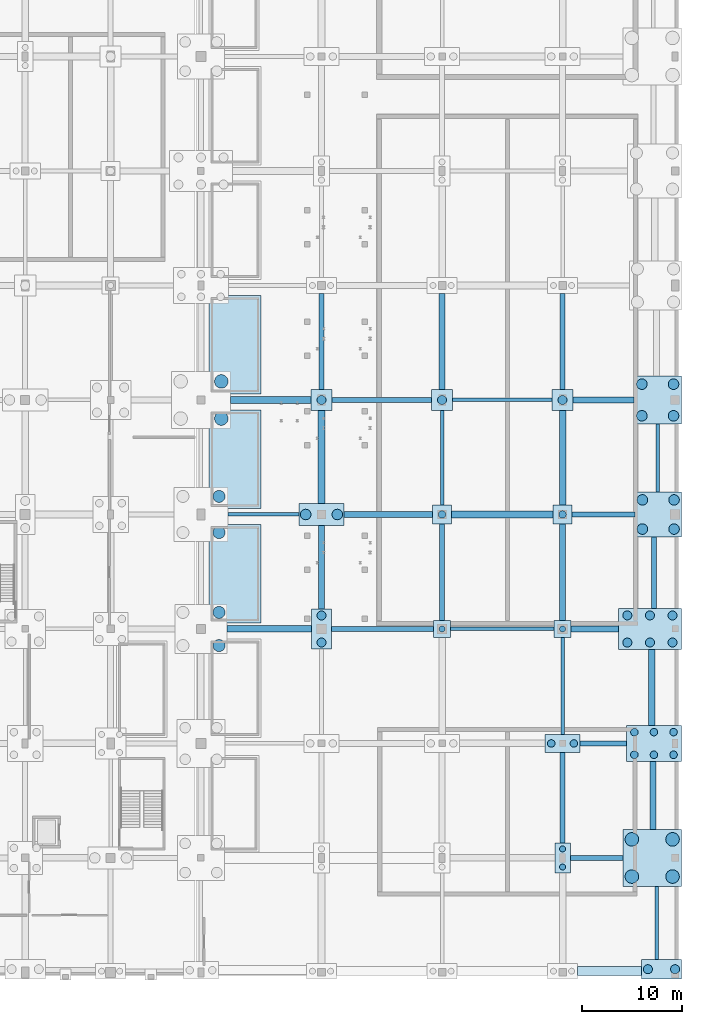
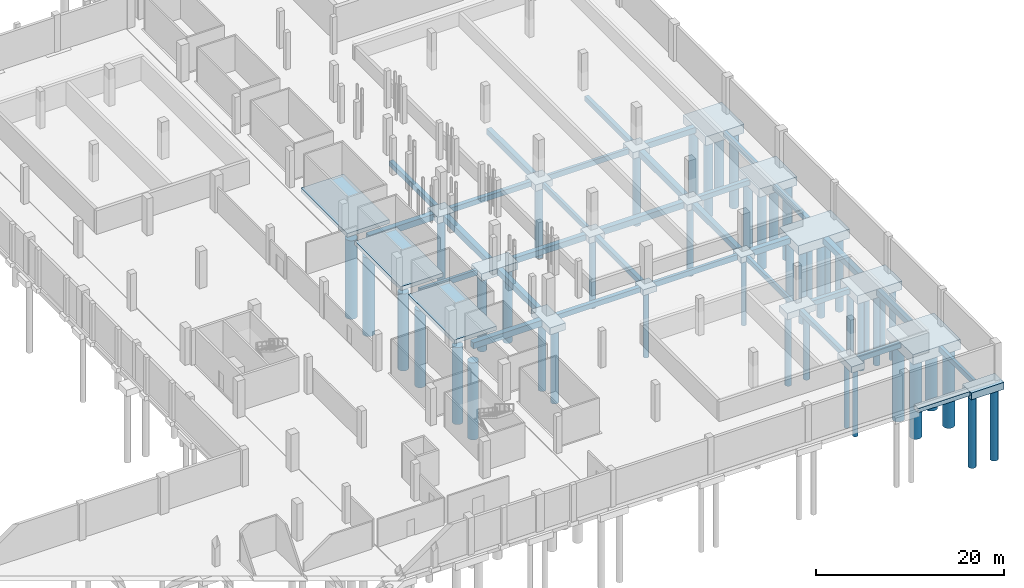
# One storey, part 8 of 34: 51 footings, 47 piles.
"""IFC4 building model written with IfcOpenShell, lengths in metres."""

from ifc_helpers import new_model, si_unit, direction, frame, origin, origin_2d, place, context, subcontext, project, spatial, rectangle, circle, extrude, material, material_profile, profile_set, type_object, element, save


model = new_model("IFC4")

# Units and contexts
model_context = context("Model", 3, precision=1e-05, world=origin(), true_north=direction((0.0, 1.0)))
body_context = subcontext(model_context, "Body", "Model", "MODEL_VIEW")
ifc_project = project(units=[si_unit("LENGTHUNIT", "METRE"), si_unit("AREAUNIT", "SQUARE_METRE"), si_unit("VOLUMEUNIT", "CUBIC_METRE"), si_unit("PLANEANGLEUNIT", "RADIAN"), si_unit("MASSUNIT", "GRAM", prefix="KILO"), si_unit("POWERUNIT", "WATT"), si_unit("THERMODYNAMICTEMPERATUREUNIT", "KELVIN")], contexts=[model_context])

# Site, building, storey
site_placement = place(None, origin())
site = spatial("IfcSite", under=ifc_project, at=site_placement, CompositionType="ELEMENT")
building_placement = place(site_placement, origin())
building = spatial("IfcBuilding", under=site, at=building_placement, Name="Kelmbourne Parkland Aquatics Centre", CompositionType="ELEMENT")
storey_placement = place(building_placement, frame((0.0, 0.0, -4.800048828125)))
storey = spatial("IfcBuildingStorey", under=building, at=storey_placement, Name="B1", CompositionType="ELEMENT", Elevation=-4.800048828125)

# Footings
ifc_material = material(Name="Waterproof concrete C50/60", Category="concrete")
footing_type_1 = type_object("IfcFootingType", Name="FT-FB1", PredefinedType="FOOTING_BEAM", material=ifc_material)
footing_1_placement = place(storey_placement, frame((167.387451171875, 12.199951171875, -1.099853515625), z_axis=(0.0, 0.0, 1.0), x_axis=(1.0, 0.0, 0.0)))
element("IfcFooting", 1, at=footing_1_placement, inside=storey, type_object=footing_type_1, Name="Ground tie beam S-T on Grid 03", PredefinedType="FOOTING_BEAM", context=body_context, shape_type="SweptSolid", body=[
    extrude(rectangle(XDim=5.22509765625, YDim=0.5, at=origin_2d()), origin(), (0.0, 0.0, 1.0), 0.64990234375),
])
footing_2_placement = place(storey_placement, frame((168.03759765625, 23.60009765625, -1.099853515625), z_axis=(0.0, 0.0, 1.0), x_axis=(1.0, 0.0, 0.0)))
element("IfcFooting", 2, at=footing_2_placement, inside=storey, type_object=footing_type_1, Name="Ground tie beam S-T on Grid 04", PredefinedType="FOOTING_BEAM", context=body_context, shape_type="SweptSolid", body=[
    extrude(rectangle(XDim=4.625, YDim=0.5, at=origin_2d()), origin(), (0.0, 0.0, 1.0), 0.64990234375),
])
footing_3_placement = place(storey_placement, frame((146.0625, 35.0, -1.099853515625), z_axis=(0.0, 0.0, 1.0), x_axis=(1.0, 0.0, 0.0)))
element("IfcFooting", 3, at=footing_3_placement, inside=storey, type_object=footing_type_1, Name="Ground tie beam Q-R on Grid 05", PredefinedType="FOOTING_BEAM", context=body_context, shape_type="SweptSolid", body=[
    extrude(rectangle(XDim=10.175048828125, YDim=0.5, at=origin_2d()), origin(), (0.0, 0.0, 1.0), 0.64990234375),
])
footing_4_placement = place(storey_placement, frame((168.074951171875, 46.39990234375, -1.099853515625), z_axis=(0.0, 0.0, 1.0), x_axis=(1.0, 0.0, 0.0)))
element("IfcFooting", 4, at=footing_4_placement, inside=storey, type_object=footing_type_1, Name="Ground tie beam S-T on Grid 06", PredefinedType="FOOTING_BEAM", context=body_context, shape_type="SweptSolid", body=[
    extrude(rectangle(XDim=6.25, YDim=0.5, at=origin_2d()), origin(), (0.0, 0.0, 1.0), 0.64990234375),
])
footing_5_placement = place(storey_placement, frame((146.0, 57.800048828125, -1.099853515625), z_axis=(0.0, 0.0, 1.0), x_axis=(1.0, 0.0, 0.0)))
element("IfcFooting", 5, at=footing_5_placement, inside=storey, type_object=footing_type_1, Name="Ground tie beam Q-R on Grid 08", PredefinedType="FOOTING_BEAM", context=body_context, shape_type="SweptSolid", body=[
    extrude(rectangle(XDim=9.89990234375, YDim=0.5, at=origin_2d()), origin(), (0.0, 0.0, 1.0), 0.64990234375),
])
footing_6_placement = place(storey_placement, frame((140.0, 63.637451171875, -1.099853515625), z_axis=(0.0, 0.0, 1.0), x_axis=(0.0, 1.0, 0.0)))
element("IfcFooting", 6, at=footing_6_placement, inside=storey, type_object=footing_type_1, Name="Ground tie beam 08-10 on Grid Q", PredefinedType="FOOTING_BEAM", context=body_context, shape_type="SweptSolid", body=[
    extrude(rectangle(XDim=9.574951171875, YDim=0.5, at=origin_2d()), origin(), (0.0, 0.0, 1.0), 0.64990234375),
])
footing_7_placement = place(storey_placement, frame((152.0, 40.64990234375, -1.099853515625), z_axis=(0.0, 0.0, 1.0), x_axis=(0.0, 1.0, 0.0)))
element("IfcFooting", 7, at=footing_7_placement, inside=storey, type_object=footing_type_1, Name="Ground tie beam 05-06 on Grid R", PredefinedType="FOOTING_BEAM", context=body_context, shape_type="SweptSolid", body=[
    extrude(rectangle(XDim=9.60009765625, YDim=0.5, at=origin_2d()), origin(), (0.0, 0.0, 1.0), 0.64990234375),
])
footing_8_placement = place(storey_placement, frame((164.0, 18.21240234375, -1.099853515625), z_axis=(0.0, 0.0, 1.0), x_axis=(0.0, 1.0, 0.0)))
element("IfcFooting", 8, at=footing_8_placement, inside=storey, type_object=footing_type_1, Name="Ground tie beam 03-04 on Grid S", PredefinedType="FOOTING_BEAM", context=body_context, shape_type="SweptSolid", body=[
    extrude(rectangle(XDim=9.02490234375, YDim=0.5, at=origin_2d()), origin(), (0.0, 0.0, 1.0), 0.64990234375),
])
footing_9_placement = place(storey_placement, frame((164.0, 63.637451171875, -1.099853515625), z_axis=(0.0, 0.0, 1.0), x_axis=(0.0, 1.0, 0.0)))
element("IfcFooting", 9, at=footing_9_placement, inside=storey, type_object=footing_type_1, Name="Ground tie beam 08-10 on Grid S", PredefinedType="FOOTING_BEAM", context=body_context, shape_type="SweptSolid", body=[
    extrude(rectangle(XDim=9.574951171875, YDim=0.5, at=origin_2d()), origin(), (0.0, 0.0, 1.0), 0.64990234375),
])
footing_10_placement = place(storey_placement, frame((173.112548828125, 40.60009765625, -1.099853515625), z_axis=(0.0, 0.0, 1.0), x_axis=(0.0, 1.0, 0.0)))
element("IfcFooting", 10, at=footing_10_placement, inside=storey, type_object=footing_type_1, Name="Ground tie beam 05-06 on Grid T", PredefinedType="FOOTING_BEAM", context=body_context, shape_type="SweptSolid", body=[
    extrude(rectangle(XDim=7.14990234375, YDim=0.5, at=origin_2d()), origin(), (0.0, 0.0, 1.0), 0.64990234375),
])
footing_type_2 = type_object("IfcFootingType", Name="FT-FB2", PredefinedType="FOOTING_BEAM", material=ifc_material)
footing_11_placement = place(storey_placement, frame((158.0, 35.0, -1.14990234375), z_axis=(0.0, 0.0, 1.0), x_axis=(1.0, 0.0, 0.0)))
element("IfcFooting", 11, at=footing_11_placement, inside=storey, type_object=footing_type_2, Name="Ground tie beam R-S on Grid 05", PredefinedType="FOOTING_BEAM", context=body_context, shape_type="SweptSolid", body=[
    extrude(rectangle(XDim=10.300048828125, YDim=0.35009765625, at=origin_2d()), origin(), (0.0, 0.0, 1.0), 0.699951171875),
])
footing_12_placement = place(storey_placement, frame((134.22509765625, 46.39990234375, -1.14990234375), z_axis=(0.0, 0.0, 1.0), x_axis=(1.0, 0.0, 0.0)))
element("IfcFooting", 12, at=footing_12_placement, inside=storey, type_object=footing_type_2, Name="Ground tie beam P-Q on Grid 06", PredefinedType="FOOTING_BEAM", context=body_context, shape_type="SweptSolid", body=[
    extrude(rectangle(XDim=7.050048828125, YDim=0.35009765625, at=origin_2d()), origin(), (0.0, 0.0, 1.0), 0.699951171875),
])
footing_13_placement = place(storey_placement, frame((158.0, 57.800048828125, -1.14990234375), z_axis=(0.0, 0.0, 1.0), x_axis=(1.0, 0.0, 0.0)))
element("IfcFooting", 13, at=footing_13_placement, inside=storey, type_object=footing_type_2, Name="Ground tie beam R-S on Grid 08", PredefinedType="FOOTING_BEAM", context=body_context, shape_type="SweptSolid", body=[
    extrude(rectangle(XDim=9.89990234375, YDim=0.35009765625, at=origin_2d()), origin(), (0.0, 0.0, 1.0), 0.699951171875),
])
footing_14_placement = place(storey_placement, frame((152.0, 52.050048828125, -1.14990234375), z_axis=(0.0, 0.0, 1.0), x_axis=(0.0, 1.0, 0.0)))
element("IfcFooting", 14, at=footing_14_placement, inside=storey, type_object=footing_type_2, Name="Ground tie beam 06-08 on Grid R", PredefinedType="FOOTING_BEAM", context=body_context, shape_type="SweptSolid", body=[
    extrude(rectangle(XDim=9.39990234375, YDim=0.35009765625, at=origin_2d()), origin(), (0.0, 0.0, 1.0), 0.699951171875),
])
footing_15_placement = place(storey_placement, frame((164.0, 29.3125, -1.14990234375), z_axis=(0.0, 0.0, 1.0), x_axis=(0.0, 1.0, 0.0)))
element("IfcFooting", 15, at=footing_15_placement, inside=storey, type_object=footing_type_2, Name="Ground tie beam 04-05 on Grid S", PredefinedType="FOOTING_BEAM", context=body_context, shape_type="SweptSolid", body=[
    extrude(rectangle(XDim=9.675048828125, YDim=0.35009765625, at=origin_2d()), origin(), (0.0, 0.0, 1.0), 0.699951171875),
])
footing_16_placement = place(storey_placement, frame((173.387451171875, 5.737548828125, -1.14990234375), z_axis=(0.0, 0.0, 1.0), x_axis=(0.0, 1.0, 0.0)))
element("IfcFooting", 16, at=footing_16_placement, inside=storey, type_object=footing_type_2, Name="Ground tie beam 01-03 on Grid T", PredefinedType="FOOTING_BEAM", context=body_context, shape_type="SweptSolid", body=[
    extrude(rectangle(XDim=7.27490234375, YDim=0.35009765625, at=origin_2d()), origin(), (0.0, 0.0, 1.0), 0.699951171875),
])
footing_17_placement = place(storey_placement, frame((173.5, 52.02490234375, -1.14990234375), z_axis=(0.0, 0.0, 1.0), x_axis=(0.0, 1.0, 0.0)))
element("IfcFooting", 17, at=footing_17_placement, inside=storey, type_object=footing_type_2, Name="Ground tie beam 06-08 on Grid T", PredefinedType="FOOTING_BEAM", context=body_context, shape_type="SweptSolid", body=[
    extrude(rectangle(XDim=6.800048828125, YDim=0.35009765625, at=origin_2d()), origin(), (0.0, 0.0, 1.0), 0.699951171875),
])
footing_type_3 = type_object("IfcFootingType", Name="FT-FB3", PredefinedType="FOOTING_BEAM", material=ifc_material)
footing_18_placement = place(storey_placement, frame((167.199951171875, 35.0, -1.199951171875), z_axis=(0.0, 0.0, 1.0), x_axis=(1.0, 0.0, 0.0)))
element("IfcFooting", 18, at=footing_18_placement, inside=storey, type_object=footing_type_3, Name="Ground tie beam S-T on Grid 05", PredefinedType="FOOTING_BEAM", context=body_context, shape_type="SweptSolid", body=[
    extrude(rectangle(XDim=4.699951171875, YDim=0.60009765625, at=origin_2d()), origin(), (0.0, 0.0, 1.0), 0.75),
])
footing_19_placement = place(storey_placement, frame((146.64990234375, 46.39990234375, -1.199951171875), z_axis=(0.0, 0.0, 1.0), x_axis=(1.0, 0.0, 0.0)))
element("IfcFooting", 19, at=footing_19_placement, inside=storey, type_object=footing_type_3, Name="Ground tie beam Q-R on Grid 06", PredefinedType="FOOTING_BEAM", context=body_context, shape_type="SweptSolid", body=[
    extrude(rectangle(XDim=8.800048828125, YDim=0.60009765625, at=origin_2d()), origin(), (0.0, 0.0, 1.0), 0.75),
])
footing_20_placement = place(storey_placement, frame((168.074951171875, 57.800048828125, -1.199951171875), z_axis=(0.0, 0.0, 1.0), x_axis=(1.0, 0.0, 0.0)))
element("IfcFooting", 20, at=footing_20_placement, inside=storey, type_object=footing_type_3, Name="Ground tie beam S-T on Grid 08", PredefinedType="FOOTING_BEAM", context=body_context, shape_type="SweptSolid", body=[
    extrude(rectangle(XDim=6.050048828125, YDim=0.60009765625, at=origin_2d()), origin(), (0.0, 0.0, 1.0), 0.75),
])
footing_21_placement = place(storey_placement, frame((140.0, 41.16259765625, -1.199951171875), z_axis=(0.0, 0.0, 1.0), x_axis=(0.0, 1.0, 0.0)))
element("IfcFooting", 21, at=footing_21_placement, inside=storey, type_object=footing_type_3, Name="Ground tie beam 05-06 on Grid Q", PredefinedType="FOOTING_BEAM", context=body_context, shape_type="SweptSolid", body=[
    extrude(rectangle(XDim=8.324951171875, YDim=0.60009765625, at=origin_2d()), origin(), (0.0, 0.0, 1.0), 0.75),
])
footing_22_placement = place(storey_placement, frame((152.0, 63.637451171875, -1.199951171875), z_axis=(0.0, 0.0, 1.0), x_axis=(0.0, 1.0, 0.0)))
element("IfcFooting", 22, at=footing_22_placement, inside=storey, type_object=footing_type_3, Name="Ground tie beam 08-10 on Grid R", PredefinedType="FOOTING_BEAM", context=body_context, shape_type="SweptSolid", body=[
    extrude(rectangle(XDim=9.574951171875, YDim=0.60009765625, at=origin_2d()), origin(), (0.0, 0.0, 1.0), 0.75),
])
footing_23_placement = place(storey_placement, frame((164.0, 40.64990234375, -1.199951171875), z_axis=(0.0, 0.0, 1.0), x_axis=(0.0, 1.0, 0.0)))
element("IfcFooting", 23, at=footing_23_placement, inside=storey, type_object=footing_type_3, Name="Ground tie beam 05-06 on Grid S", PredefinedType="FOOTING_BEAM", context=body_context, shape_type="SweptSolid", body=[
    extrude(rectangle(XDim=9.60009765625, YDim=0.60009765625, at=origin_2d()), origin(), (0.0, 0.0, 1.0), 0.75),
])
footing_24_placement = place(storey_placement, frame((173.012451171875, 18.425048828125, -1.199951171875), z_axis=(0.0, 0.0, 1.0), x_axis=(0.0, 1.0, 0.0)))
element("IfcFooting", 24, at=footing_24_placement, inside=storey, type_object=footing_type_3, Name="Ground tie beam 03-04 on Grid T", PredefinedType="FOOTING_BEAM", context=body_context, shape_type="SweptSolid", body=[
    extrude(rectangle(XDim=6.800048828125, YDim=0.60009765625, at=origin_2d()), origin(), (0.0, 0.0, 1.0), 0.75),
])
footing_type_4 = type_object("IfcFootingType", Name="FT-FB4", PredefinedType="FOOTING_BEAM", material=ifc_material)
footing_25_placement = place(storey_placement, frame((134.8125, 35.0, -1.25), z_axis=(0.0, 0.0, 1.0), x_axis=(1.0, 0.0, 0.0)))
element("IfcFooting", 25, at=footing_25_placement, inside=storey, type_object=footing_type_4, Name="Ground tie beam P-Q on Grid 05", PredefinedType="FOOTING_BEAM", context=body_context, shape_type="SweptSolid", body=[
    extrude(rectangle(XDim=8.425048828125, YDim=0.64990234375, at=origin_2d()), origin(), (0.0, 0.0, 1.0), 0.800048828125),
])
footing_26_placement = place(storey_placement, frame((158.0, 46.39990234375, -1.25), z_axis=(0.0, 0.0, 1.0), x_axis=(1.0, 0.0, 0.0)))
element("IfcFooting", 26, at=footing_26_placement, inside=storey, type_object=footing_type_4, Name="Ground tie beam R-S on Grid 06", PredefinedType="FOOTING_BEAM", context=body_context, shape_type="SweptSolid", body=[
    extrude(rectangle(XDim=10.10009765625, YDim=0.64990234375, at=origin_2d()), origin(), (0.0, 0.0, 1.0), 0.800048828125),
])
footing_27_placement = place(storey_placement, frame((134.9375, 57.800048828125, -1.25), z_axis=(0.0, 0.0, 1.0), x_axis=(1.0, 0.0, 0.0)))
element("IfcFooting", 27, at=footing_27_placement, inside=storey, type_object=footing_type_4, Name="Ground tie beam P-Q on Grid 08", PredefinedType="FOOTING_BEAM", context=body_context, shape_type="SweptSolid", body=[
    extrude(rectangle(XDim=8.02490234375, YDim=0.64990234375, at=origin_2d()), origin(), (0.0, 0.0, 1.0), 0.800048828125),
])
footing_28_placement = place(storey_placement, frame((140.0, 52.112548828125, -1.25), z_axis=(0.0, 0.0, 1.0), x_axis=(0.0, 1.0, 0.0)))
element("IfcFooting", 28, at=footing_28_placement, inside=storey, type_object=footing_type_4, Name="Ground tie beam 06-08 on Grid Q", PredefinedType="FOOTING_BEAM", context=body_context, shape_type="SweptSolid", body=[
    extrude(rectangle(XDim=9.27490234375, YDim=0.64990234375, at=origin_2d()), origin(), (0.0, 0.0, 1.0), 0.800048828125),
])
footing_29_placement = place(storey_placement, frame((164.0, 52.050048828125, -1.25), z_axis=(0.0, 0.0, 1.0), x_axis=(0.0, 1.0, 0.0)))
element("IfcFooting", 29, at=footing_29_placement, inside=storey, type_object=footing_type_4, Name="Ground tie beam 06-08 on Grid S", PredefinedType="FOOTING_BEAM", context=body_context, shape_type="SweptSolid", body=[
    extrude(rectangle(XDim=9.39990234375, YDim=0.64990234375, at=origin_2d()), origin(), (0.0, 0.0, 1.0), 0.800048828125),
])
footing_30_placement = place(storey_placement, frame((172.89990234375, 29.175048828125, -1.25), z_axis=(0.0, 0.0, 1.0), x_axis=(0.0, 1.0, 0.0)))
element("IfcFooting", 30, at=footing_30_placement, inside=storey, type_object=footing_type_4, Name="Ground tie beam 04-05 on Grid T", PredefinedType="FOOTING_BEAM", context=body_context, shape_type="SweptSolid", body=[
    extrude(rectangle(XDim=7.60009765625, YDim=0.64990234375, at=origin_2d()), origin(), (0.0, 0.0, 1.0), 0.800048828125),
])
footing_type_5 = type_object("IfcFootingType", Name="FT-PC01", PredefinedType="PILE_CAP", material=ifc_material)
for number, where, z_axis, x_axis, name in (
    (31, (152.0, 35.0, -1.199951171875), (0.0, 0.0, 1.0), (1.0, 0.0, 0.0), "Bored pile cap PC-R-05"),
    (32, (164.0, 35.0, -1.199951171875), (0.0, 0.0, 1.0), (1.0, 0.0, 0.0), "Bored pile cap PC-S-05"),
):
    element("IfcFooting", number, at=place(storey_placement, frame(where, z_axis=z_axis, x_axis=x_axis)), inside=storey, type_object=footing_type_5, Name=name, PredefinedType="PILE_CAP", context=body_context, shape_type="SweptSolid", body=[
        extrude(rectangle(XDim=1.699951171875, YDim=1.699951171875, at=origin_2d()), origin(), (0.0, 0.0, 1.0), 0.75),
    ])
footing_type_6 = type_object("IfcFootingType", Name="FT-PC02", PredefinedType="PILE_CAP", material=ifc_material)
for number, where, z_axis, x_axis, name in (
    (33, (152.0, 46.39990234375, -1.25), (0.0, 0.0, 1.0), (1.0, 0.0, 0.0), "Bored pile cap PC-R-06"),
    (34, (164.0, 46.39990234375, -1.25), (0.0, 0.0, 1.0), (1.0, 0.0, 0.0), "Bored pile cap PC-S-06"),
):
    element("IfcFooting", number, at=place(storey_placement, frame(where, z_axis=z_axis, x_axis=x_axis)), inside=storey, type_object=footing_type_6, Name=name, PredefinedType="PILE_CAP", context=body_context, shape_type="SweptSolid", body=[
        extrude(rectangle(XDim=1.89990234375, YDim=1.89990234375, at=origin_2d()), origin(), (0.0, 0.0, 1.0), 0.800048828125),
    ])
footing_type_7 = type_object("IfcFootingType", Name="FT-PC03", PredefinedType="PILE_CAP", material=ifc_material)
for number, where, z_axis, x_axis, name in (
    (35, (140.0, 57.800048828125, -1.300048828125), (0.0, 0.0, 1.0), (1.0, 0.0, 0.0), "Bored pile cap PC-Q-08"),
    (36, (152.0, 57.800048828125, -1.300048828125), (0.0, 0.0, 1.0), (1.0, 0.0, 0.0), "Bored pile cap PC-R-08"),
    (37, (164.0, 57.800048828125, -1.300048828125), (0.0, 0.0, 1.0), (1.0, 0.0, 0.0), "Bored pile cap PC-S-08"),
):
    element("IfcFooting", number, at=place(storey_placement, frame(where, z_axis=z_axis, x_axis=x_axis)), inside=storey, type_object=footing_type_7, Name=name, PredefinedType="PILE_CAP", context=body_context, shape_type="SweptSolid", body=[
        extrude(rectangle(XDim=2.10009765625, YDim=2.10009765625, at=origin_2d()), origin(), (0.0, 0.0, 1.0), 0.85009765625),
    ])
footing_type_8 = type_object("IfcFootingType", Name="FT-PC05", PredefinedType="PILE_CAP", material=ifc_material)
footing_31_placement = place(storey_placement, frame((164.0, 12.199951171875, -1.25), z_axis=(0.0, 0.0, 1.0), x_axis=(1.0, 0.0, 0.0)))
element("IfcFooting", 38, at=footing_31_placement, inside=storey, type_object=footing_type_8, Name="Bored pile cap PC-S-03", PredefinedType="PILE_CAP", context=body_context, shape_type="SweptSolid", body=[
    extrude(rectangle(XDim=1.550048828125, YDim=3.0, at=origin_2d()), origin(), (0.0, 0.0, 1.0), 0.800048828125),
])
footing_type_9 = type_object("IfcFootingType", Name="FT-PC06", PredefinedType="PILE_CAP", material=ifc_material)
footing_32_placement = place(storey_placement, frame((164.0, 23.60009765625, -1.300048828125), z_axis=(0.0, 0.0, 1.0), x_axis=(1.0, 0.0, 0.0)))
element("IfcFooting", 39, at=footing_32_placement, inside=storey, type_object=footing_type_9, Name="Bored pile cap PC-S-04", PredefinedType="PILE_CAP", context=body_context, shape_type="SweptSolid", body=[
    extrude(rectangle(XDim=3.449951171875, YDim=1.75, at=origin_2d()), origin(), (0.0, 0.0, 1.0), 0.85009765625),
])
footing_type_10 = type_object("IfcFootingType", Name="FT-PC08", PredefinedType="PILE_CAP", material=ifc_material)
footing_33_placement = place(storey_placement, frame((173.85009765625, 1.125, -1.349853515625), z_axis=(0.0, 0.0, 1.0), x_axis=(1.0, 0.0, 0.0)))
element("IfcFooting", 40, at=footing_33_placement, inside=storey, type_object=footing_type_10, Name="Bored pile cap PC-T-01", PredefinedType="PILE_CAP", context=body_context, shape_type="SweptSolid", body=[
    extrude(rectangle(XDim=4.0, YDim=1.949951171875, at=origin_2d()), origin(), (0.0, 0.0, 1.0), 0.89990234375),
])
footing_type_11 = type_object("IfcFootingType", Name="FT-PC09", PredefinedType="PILE_CAP", material=ifc_material)
footing_34_placement = place(storey_placement, frame((140.0, 35.0, -1.349853515625), z_axis=(0.0, 0.0, 1.0), x_axis=(1.0, 0.0, 0.0)))
element("IfcFooting", 41, at=footing_34_placement, inside=storey, type_object=footing_type_11, Name="Bored pile cap PC-Q-05", PredefinedType="PILE_CAP", context=body_context, shape_type="SweptSolid", body=[
    extrude(rectangle(XDim=1.949951171875, YDim=4.0, at=origin_2d()), origin(), (0.0, 0.0, 1.0), 0.89990234375),
])
footing_type_12 = type_object("IfcFootingType", Name="FT-PC10", PredefinedType="PILE_CAP", material=ifc_material)
footing_35_placement = place(storey_placement, frame((140.0, 46.39990234375, -1.39990234375), z_axis=(0.0, 0.0, 1.0), x_axis=(1.0, 0.0, 0.0)))
element("IfcFooting", 42, at=footing_35_placement, inside=storey, type_object=footing_type_12, Name="Bored pile cap PC-Q-06", PredefinedType="PILE_CAP", context=body_context, shape_type="SweptSolid", body=[
    extrude(rectangle(XDim=4.5, YDim=2.14990234375, at=origin_2d()), origin(), (0.0, 0.0, 1.0), 0.949951171875),
])
footing_type_13 = type_object("IfcFootingType", Name="FT-PC16", PredefinedType="PILE_CAP", material=ifc_material)
footing_36_placement = place(storey_placement, frame((173.52490234375, 46.39990234375, -1.550048828125), z_axis=(0.0, 0.0, 1.0), x_axis=(1.0, 0.0, 0.0)))
element("IfcFooting", 43, at=footing_36_placement, inside=storey, type_object=footing_type_13, Name="Bored pile cap PC-T-06", PredefinedType="PILE_CAP", context=body_context, shape_type="SweptSolid", body=[
    extrude(rectangle(XDim=4.64990234375, YDim=4.449951171875, at=origin_2d()), origin(), (0.0, 0.0, 1.0), 1.10009765625),
])
footing_type_14 = type_object("IfcFootingType", Name="FT-PC17", PredefinedType="PILE_CAP", material=ifc_material)
footing_37_placement = place(storey_placement, frame((173.47509765625, 57.800048828125, -1.599853515625), z_axis=(0.0, 0.0, 1.0), x_axis=(1.0, 0.0, 0.0)))
element("IfcFooting", 44, at=footing_37_placement, inside=storey, type_object=footing_type_14, Name="Bored pile cap PC-T-08", PredefinedType="PILE_CAP", context=body_context, shape_type="SweptSolid", body=[
    extrude(rectangle(XDim=4.75, YDim=4.75, at=origin_2d()), origin(), (0.0, 0.0, 1.0), 1.14990234375),
])
footing_type_15 = type_object("IfcFootingType", Name="FT-PC20", PredefinedType="PILE_CAP", material=ifc_material)
footing_38_placement = place(storey_placement, frame((172.925048828125, 12.199951171875, -1.75), z_axis=(0.0, 0.0, 1.0), x_axis=(1.0, 0.0, 0.0)))
element("IfcFooting", 45, at=footing_38_placement, inside=storey, type_object=footing_type_15, Name="Bored pile cap PC-T-03", PredefinedType="PILE_CAP", context=body_context, shape_type="SweptSolid", body=[
    extrude(rectangle(XDim=5.85009765625, YDim=5.64990234375, at=origin_2d()), origin(), (0.0, 0.0, 1.0), 1.300048828125),
])
footing_type_16 = type_object("IfcFootingType", Name="FT-PC21", PredefinedType="PILE_CAP", material=ifc_material)
footing_39_placement = place(storey_placement, frame((173.10009765625, 23.60009765625, -1.550048828125), z_axis=(0.0, 0.0, 1.0), x_axis=(1.0, 0.0, 0.0)))
element("IfcFooting", 46, at=footing_39_placement, inside=storey, type_object=footing_type_16, Name="Bored pile cap PC-T-04", PredefinedType="PILE_CAP", context=body_context, shape_type="SweptSolid", body=[
    extrude(rectangle(XDim=5.5, YDim=3.550048828125, at=origin_2d()), origin(), (0.0, 0.0, 1.0), 1.10009765625),
])
footing_type_17 = type_object("IfcFootingType", Name="FT-PC22", PredefinedType="PILE_CAP", material=ifc_material)
footing_40_placement = place(storey_placement, frame((172.699951171875, 35.0, -1.64990234375), z_axis=(0.0, 0.0, 1.0), x_axis=(1.0, 0.0, 0.0)))
element("IfcFooting", 47, at=footing_40_placement, inside=storey, type_object=footing_type_17, Name="Bored pile cap PC-T-05", PredefinedType="PILE_CAP", context=body_context, shape_type="SweptSolid", body=[
    extrude(rectangle(XDim=6.300048828125, YDim=4.050048828125, at=origin_2d()), origin(), (0.0, 0.0, 1.0), 1.199951171875),
])
footing_type_18 = type_object("IfcFootingType", Name="FT-SF1", PredefinedType="STRIP_FOOTING", material=ifc_material)
footing_41_placement = place(storey_placement, frame((168.675048828125, 0.925048828125, -1.0), z_axis=(0.0, 0.0, 1.0), x_axis=(1.0, 0.0, 0.0)))
element("IfcFooting", 48, at=footing_41_placement, inside=storey, type_object=footing_type_18, Name="Pool wall strip footing SF-04", PredefinedType="STRIP_FOOTING", context=body_context, shape_type="SweptSolid", body=[
    extrude(rectangle(XDim=6.35009765625, YDim=0.89990234375, at=origin_2d()), origin(), (0.0, 0.0, 1.0), 0.550048828125),
])
for number, where, z_axis, x_axis, name in (
    (49, (131.39990234375, 40.5, -0.5), (0.0, 0.0, 1.0), (1.0, 0.0, 0.0), "Spectator Bowl Exit Stair Bay 4 foundation pad"),
    (50, (131.39990234375, 51.89990234375, -0.5), (0.0, 0.0, 1.0), (1.0, 0.0, 0.0), "Spectator Bowl Exit Stair Bay 5 foundation pad"),
    (51, (131.39990234375, 63.300048828125, -0.5), (0.0, 0.0, 1.0), (1.0, 0.0, 0.0), "Spectator Bowl Exit Stair Bay 6 foundation pad"),
):
    element("IfcFooting", number, at=place(storey_placement, frame(where, z_axis=z_axis, x_axis=x_axis)), inside=storey, type_object=footing_type_18, Name=name, PredefinedType="STRIP_FOOTING", context=body_context, shape_type="SweptSolid", body=[
        extrude(rectangle(XDim=5.199951171875, YDim=9.800048828125, at=origin_2d()), origin(), (0.0, 0.0, 1.0), 0.5),
    ])

# Piles
ifc_material_profile_1 = material_profile(ifc_material, circle(Radius=0.52490234375, at=origin_2d()), Name="PILE D1050")
ifc_profile_set_1 = profile_set([ifc_material_profile_1], Name="Waterproof concrete C50/60")
pile_type_1 = type_object("IfcPileType", Name="PL-1050", PredefinedType="BORED", material=ifc_profile_set_1)
for number, where, z_axis, x_axis, name in (
    (52, (138.425048828125, 46.39990234375, -1.300048828125), (0.0, 0.0, -1.0), (1.0, 0.0, 0.0), "Rock-socketed bored pile Q-06-1"),
    (53, (141.574951171875, 46.39990234375, -1.300048828125), (0.0, 0.0, -1.0), (1.0, 0.0, 0.0), "Rock-socketed bored pile Q-06-2"),
    (54, (171.949951171875, 44.949951171875, -1.449951171875), (0.0, 0.0, -1.0), (1.0, 0.0, 0.0), "Rock-socketed bored pile T-06-1"),
    (55, (175.10009765625, 44.949951171875, -1.449951171875), (0.0, 0.0, -1.0), (1.0, 0.0, 0.0), "Rock-socketed bored pile T-06-2"),
    (56, (171.949951171875, 47.85009765625, -1.449951171875), (0.0, 0.0, -1.0), (1.0, 0.0, 0.0), "Rock-socketed bored pile T-06-3"),
    (57, (175.10009765625, 47.85009765625, -1.449951171875), (0.0, 0.0, -1.0), (1.0, 0.0, 0.0), "Rock-socketed bored pile T-06-4"),
    (58, (171.89990234375, 56.22509765625, -1.5), (0.0, 0.0, -1.0), (1.0, 0.0, 0.0), "Rock-socketed bored pile T-08-1"),
    (59, (175.050048828125, 56.22509765625, -1.5), (0.0, 0.0, -1.0), (1.0, 0.0, 0.0), "Rock-socketed bored pile T-08-2"),
    (60, (171.89990234375, 59.375, -1.5), (0.0, 0.0, -1.0), (1.0, 0.0, 0.0), "Rock-socketed bored pile T-08-3"),
    (61, (175.050048828125, 59.375, -1.5), (0.0, 0.0, -1.0), (1.0, 0.0, 0.0), "Rock-socketed bored pile T-08-4"),
):
    element("IfcPile", number, at=place(storey_placement, frame(where, z_axis=z_axis, x_axis=x_axis)), inside=storey, type_object=pile_type_1, Name=name, PredefinedType="BORED", context=body_context, shape_type="SweptSolid", body=[
        extrude(circle(Radius=0.52490234375, at=origin_2d()), origin(), (0.0, 0.0, 1.0), 9.800048828125),
    ])
ifc_material_profile_2 = material_profile(ifc_material, circle(Radius=0.60009765625, at=origin_2d()), Name="PILE D1200")
ifc_profile_set_2 = profile_set([ifc_material_profile_2], Name="Waterproof concrete C50/60")
pile_type_2 = type_object("IfcPileType", Name="PL-1200", PredefinedType="BORED", material=ifc_profile_set_2)
for number, where, z_axis, x_axis, name in (
    (62, (129.800048828125, 33.35009765625, -1.550048828125), (0.0, 0.0, -1.0), (1.0, 0.0, 0.0), "Rock-socketed bored pile P-05-2"),
    (63, (129.800048828125, 36.64990234375, -1.550048828125), (0.0, 0.0, -1.0), (1.0, 0.0, 0.0), "Rock-socketed bored pile P-05-4"),
    (64, (129.800048828125, 44.60009765625, -1.599853515625), (0.0, 0.0, -1.0), (1.0, 0.0, 0.0), "Rock-socketed bored pile P-06-2"),
    (65, (129.800048828125, 48.199951171875, -1.599853515625), (0.0, 0.0, -1.0), (1.0, 0.0, 0.0), "Rock-socketed bored pile P-06-4"),
):
    element("IfcPile", number, at=place(storey_placement, frame(where, z_axis=z_axis, x_axis=x_axis)), inside=storey, type_object=pile_type_2, Name=name, PredefinedType="BORED", context=body_context, shape_type="SweptSolid", body=[
        extrude(circle(Radius=0.60009765625, at=origin_2d()), origin(), (0.0, 0.0, 1.0), 10.0),
    ])
ifc_material_profile_3 = material_profile(ifc_material, circle(Radius=0.675048828125, at=origin_2d()), Name="PILE D1350")
ifc_profile_set_3 = profile_set([ifc_material_profile_3], Name="Waterproof concrete C50/60")
pile_type_3 = type_object("IfcPileType", Name="PL-1350", PredefinedType="BORED", material=ifc_profile_set_3)
for number, where, z_axis, x_axis, name in (
    (66, (130.02490234375, 55.949951171875, -1.64990234375), (0.0, 0.0, -1.0), (1.0, 0.0, 0.0), "Rock-socketed bored pile P-08-2"),
    (67, (130.02490234375, 59.64990234375, -1.64990234375), (0.0, 0.0, -1.0), (1.0, 0.0, 0.0), "Rock-socketed bored pile P-08-4"),
    (68, (170.89990234375, 10.35009765625, -1.64990234375), (0.0, 0.0, -1.0), (1.0, 0.0, 0.0), "Rock-socketed bored pile T-03-1"),
    (69, (174.949951171875, 10.35009765625, -1.64990234375), (0.0, 0.0, -1.0), (1.0, 0.0, 0.0), "Rock-socketed bored pile T-03-2"),
    (70, (170.89990234375, 14.050048828125, -1.64990234375), (0.0, 0.0, -1.0), (1.0, 0.0, 0.0), "Rock-socketed bored pile T-03-3"),
    (71, (174.949951171875, 14.050048828125, -1.64990234375), (0.0, 0.0, -1.0), (1.0, 0.0, 0.0), "Rock-socketed bored pile T-03-4"),
):
    element("IfcPile", number, at=place(storey_placement, frame(where, z_axis=z_axis, x_axis=x_axis)), inside=storey, type_object=pile_type_3, Name=name, PredefinedType="BORED", context=body_context, shape_type="SweptSolid", body=[
        extrude(circle(Radius=0.675048828125, at=origin_2d()), origin(), (0.0, 0.0, 1.0), 10.199951171875),
    ])
ifc_material_profile_4 = material_profile(ifc_material, circle(Radius=0.300048828125, at=origin_2d()), Name="PILE D600")
ifc_profile_set_4 = profile_set([ifc_material_profile_4], Name="Waterproof concrete C50/60")
pile_type_4 = type_object("IfcPileType", Name="PL-600", PredefinedType="BORED", material=ifc_profile_set_4)
for number, where, z_axis, x_axis, name in (
    (72, (152.0, 35.0, -1.099853515625), (0.0, 0.0, -1.0), (1.0, 0.0, 0.0), "Rock-socketed bored pile R-05-1"),
    (73, (164.0, 11.300048828125, -1.14990234375), (0.0, 0.0, -1.0), (1.0, 0.0, 0.0), "Rock-socketed bored pile S-03-1"),
    (74, (164.0, 13.10009765625, -1.14990234375), (0.0, 0.0, -1.0), (1.0, 0.0, 0.0), "Rock-socketed bored pile S-03-2"),
    (75, (164.0, 35.0, -1.099853515625), (0.0, 0.0, -1.0), (1.0, 0.0, 0.0), "Rock-socketed bored pile S-05-1"),
):
    element("IfcPile", number, at=place(storey_placement, frame(where, z_axis=z_axis, x_axis=x_axis)), inside=storey, type_object=pile_type_4, Name=name, PredefinedType="BORED", context=body_context, shape_type="SweptSolid", body=[
        extrude(circle(Radius=0.300048828125, at=origin_2d()), origin(), (0.0, 0.0, 1.0), 8.800048828125),
    ])
ifc_material_profile_5 = material_profile(ifc_material, circle(Radius=0.375, at=origin_2d()), Name="PILE D750")
ifc_profile_set_5 = profile_set([ifc_material_profile_5], Name="Waterproof concrete C50/60")
pile_type_5 = type_object("IfcPileType", Name="PL-750", PredefinedType="BORED", material=ifc_profile_set_5)
for number, where, z_axis, x_axis, name in (
    (76, (152.0, 46.39990234375, -1.14990234375), (0.0, 0.0, -1.0), (1.0, 0.0, 0.0), "Rock-socketed bored pile R-06-1"),
    (77, (162.875, 23.60009765625, -1.199951171875), (0.0, 0.0, -1.0), (1.0, 0.0, 0.0), "Rock-socketed bored pile S-04-1"),
    (78, (165.125, 23.60009765625, -1.199951171875), (0.0, 0.0, -1.0), (1.0, 0.0, 0.0), "Rock-socketed bored pile S-04-2"),
    (79, (164.0, 46.39990234375, -1.14990234375), (0.0, 0.0, -1.0), (1.0, 0.0, 0.0), "Rock-socketed bored pile S-06-1"),
    (80, (171.14990234375, 22.47509765625, -1.449951171875), (0.0, 0.0, -1.0), (1.0, 0.0, 0.0), "Rock-socketed bored pile T-04-1"),
    (81, (173.10009765625, 22.47509765625, -1.449951171875), (0.0, 0.0, -1.0), (1.0, 0.0, 0.0), "Rock-socketed bored pile T-04-2"),
    (82, (175.050048828125, 22.47509765625, -1.449951171875), (0.0, 0.0, -1.0), (1.0, 0.0, 0.0), "Rock-socketed bored pile T-04-3"),
    (83, (171.14990234375, 24.72509765625, -1.449951171875), (0.0, 0.0, -1.0), (1.0, 0.0, 0.0), "Rock-socketed bored pile T-04-4"),
    (84, (173.10009765625, 24.72509765625, -1.449951171875), (0.0, 0.0, -1.0), (1.0, 0.0, 0.0), "Rock-socketed bored pile T-04-5"),
    (85, (175.050048828125, 24.72509765625, -1.449951171875), (0.0, 0.0, -1.0), (1.0, 0.0, 0.0), "Rock-socketed bored pile T-04-6"),
):
    element("IfcPile", number, at=place(storey_placement, frame(where, z_axis=z_axis, x_axis=x_axis)), inside=storey, type_object=pile_type_5, Name=name, PredefinedType="BORED", context=body_context, shape_type="SweptSolid", body=[
        extrude(circle(Radius=0.375, at=origin_2d()), origin(), (0.0, 0.0, 1.0), 9.199951171875),
    ])
ifc_material_profile_6 = material_profile(ifc_material, circle(Radius=0.449951171875, at=origin_2d()), Name="PILE D900")
ifc_profile_set_6 = profile_set([ifc_material_profile_6], Name="Waterproof concrete C50/60")
pile_type_6 = type_object("IfcPileType", Name="PL-900", PredefinedType="BORED", material=ifc_profile_set_6)
for number, where, z_axis, x_axis, name in (
    (86, (140.0, 33.64990234375, -1.25), (0.0, 0.0, -1.0), (1.0, 0.0, 0.0), "Rock-socketed bored pile Q-05-1"),
    (87, (140.0, 36.35009765625, -1.25), (0.0, 0.0, -1.0), (1.0, 0.0, 0.0), "Rock-socketed bored pile Q-05-2"),
    (88, (140.0, 57.800048828125, -1.199951171875), (0.0, 0.0, -1.0), (1.0, 0.0, 0.0), "Rock-socketed bored pile Q-08-1"),
    (89, (152.0, 57.800048828125, -1.199951171875), (0.0, 0.0, -1.0), (1.0, 0.0, 0.0), "Rock-socketed bored pile R-08-1"),
    (90, (164.0, 57.800048828125, -1.199951171875), (0.0, 0.0, -1.0), (1.0, 0.0, 0.0), "Rock-socketed bored pile S-08-1"),
    (91, (172.5, 1.125, -1.25), (0.0, 0.0, -1.0), (1.0, 0.0, 0.0), "Rock-socketed bored pile T-01-1"),
    (92, (175.199951171875, 1.125, -1.25), (0.0, 0.0, -1.0), (1.0, 0.0, 0.0), "Rock-socketed bored pile T-01-2"),
    (93, (170.449951171875, 33.64990234375, -1.550048828125), (0.0, 0.0, -1.0), (1.0, 0.0, 0.0), "Rock-socketed bored pile T-05-1"),
    (94, (172.699951171875, 33.64990234375, -1.550048828125), (0.0, 0.0, -1.0), (1.0, 0.0, 0.0), "Rock-socketed bored pile T-05-2"),
    (95, (174.949951171875, 33.64990234375, -1.550048828125), (0.0, 0.0, -1.0), (1.0, 0.0, 0.0), "Rock-socketed bored pile T-05-3"),
    (96, (170.449951171875, 36.35009765625, -1.550048828125), (0.0, 0.0, -1.0), (1.0, 0.0, 0.0), "Rock-socketed bored pile T-05-4"),
    (97, (172.699951171875, 36.35009765625, -1.550048828125), (0.0, 0.0, -1.0), (1.0, 0.0, 0.0), "Rock-socketed bored pile T-05-5"),
    (98, (174.949951171875, 36.35009765625, -1.550048828125), (0.0, 0.0, -1.0), (1.0, 0.0, 0.0), "Rock-socketed bored pile T-05-6"),
):
    element("IfcPile", number, at=place(storey_placement, frame(where, z_axis=z_axis, x_axis=x_axis)), inside=storey, type_object=pile_type_6, Name=name, PredefinedType="BORED", context=body_context, shape_type="SweptSolid", body=[
        extrude(circle(Radius=0.449951171875, at=origin_2d()), origin(), (0.0, 0.0, 1.0), 9.5),
    ])

save(model, "model.ifc")
